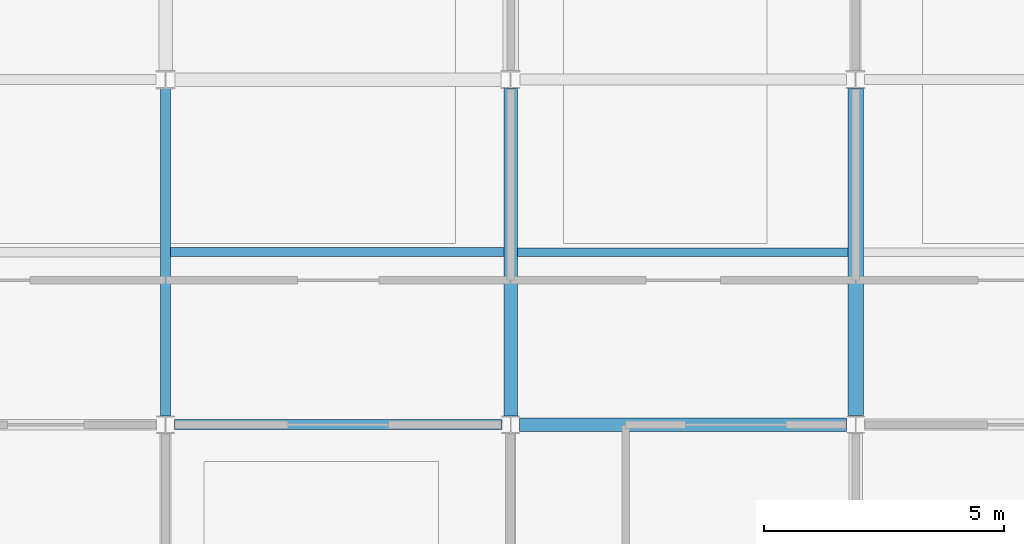
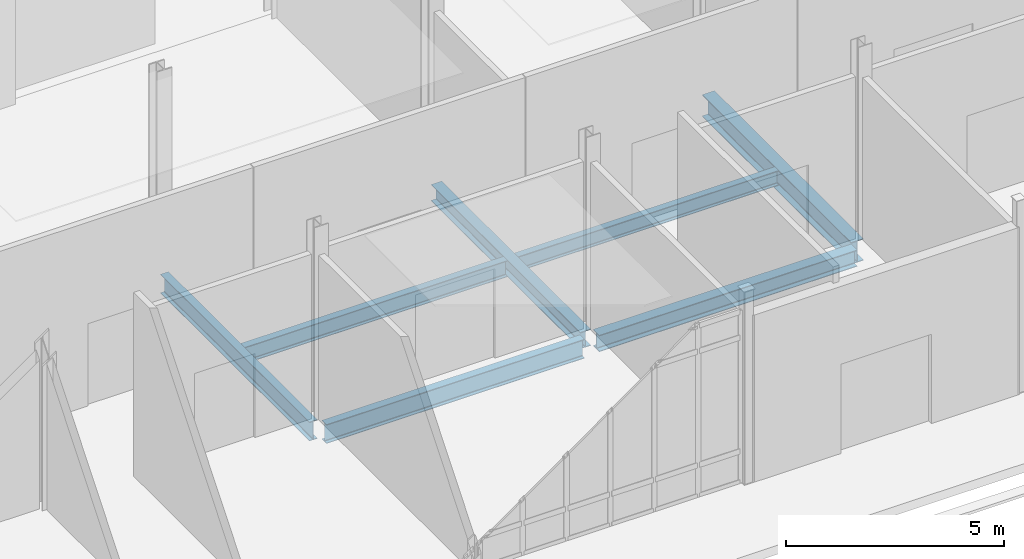
# One storey, part 116 of 229: 7 beams.
"""IFC4 building model written with IfcOpenShell, lengths in metres."""

from ifc_helpers import new_model, si_unit, direction, frame, origin, origin_2d, place, context, subcontext, project, spatial, i_section, extrude, material, material_profile, profile_set, type_object, element, save


model = new_model("IFC4")

# Units and contexts
model_context = context("Model", 3, precision=1e-05, world=origin(), true_north=direction((0.0, 1.0)))
body_context = subcontext(model_context, "Body", "Model", "MODEL_VIEW")
ifc_project = project(units=[si_unit("LENGTHUNIT", "METRE"), si_unit("AREAUNIT", "SQUARE_METRE"), si_unit("VOLUMEUNIT", "CUBIC_METRE"), si_unit("PLANEANGLEUNIT", "RADIAN"), si_unit("MASSUNIT", "GRAM", prefix="KILO")], contexts=[model_context])

# Site, building, storey
site_placement = place(None, origin())
site = spatial("IfcSite", under=ifc_project, at=site_placement, CompositionType="ELEMENT")
building_placement = place(site_placement, origin())
building = spatial("IfcBuilding", under=site, at=building_placement, Name="Calvrana Isthmian Art Gallery", CompositionType="ELEMENT")
storey_placement = place(building_placement, origin())
storey = spatial("IfcBuildingStorey", under=building, at=storey_placement, Name="L00", CompositionType="ELEMENT", Elevation=0.0)

# Beams
ifc_material = material(Name="Steel ASTM A992 Gr 50", Category="steel")
ifc_material_profile_1 = material_profile(ifc_material, i_section(OverallWidth=0.279052734375, OverallDepth=0.4619140625, WebThickness=0.0107421875, FlangeThickness=0.017333984375, FilletRadius=0.02001953125, at=origin_2d()), Name="W18X76")
ifc_profile_set_1 = profile_set([ifc_material_profile_1], Name="Steel ASTM A992 Gr 50")
beam_type_1 = type_object("IfcBeamType", Name="BM-G-W18X76", PredefinedType="BEAM", material=ifc_profile_set_1)
beam_1_placement = place(storey_placement, frame((134.583984375, 7.199951171875, -0.51611328125), z_axis=(1.0, 0.0, 0.0), x_axis=(0.0, 1.0, 0.0)))
element("IfcBeam", 1, at=beam_1_placement, inside=storey, type_object=beam_type_1, Name="Girder X L00 18-19/B", PredefinedType="BEAM", context=body_context, shape_type="SweptSolid", body=[
    extrude(i_section(OverallWidth=0.279052734375, OverallDepth=0.4619140625, WebThickness=0.0107421875, FlangeThickness=0.017333984375, FilletRadius=0.02001953125, at=origin_2d()), origin(), (0.0, 0.0, 1.0), 6.82958984375),
])
beam_2_placement = place(storey_placement, frame((134.39990234375, 7.3779296875, -0.51611328125), z_axis=(0.0, 1.0, 0.0), x_axis=(-1.0, 0.0, 0.0)))
element("IfcBeam", 2, at=beam_2_placement, inside=storey, type_object=beam_type_1, Name="Girder Y L00 18/B-C", PredefinedType="BEAM", context=body_context, shape_type="SweptSolid", body=[
    extrude(i_section(OverallWidth=0.279052734375, OverallDepth=0.4619140625, WebThickness=0.0107421875, FlangeThickness=0.017333984375, FilletRadius=0.02001953125, at=origin_2d()), origin(), (0.0, 0.0, 1.0), 6.833984375),
])
ifc_material_profile_2 = material_profile(ifc_material, i_section(OverallWidth=0.208984375, OverallDepth=0.532958984375, WebThickness=0.01025390625, FlangeThickness=0.015625, FilletRadius=0.02099609375, at=origin_2d()), Name="W21X62")
ifc_profile_set_2 = profile_set([ifc_material_profile_2], Name="Steel ASTM A992 Gr 50")
beam_type_2 = type_object("IfcBeamType", Name="BM-G-W21X62", PredefinedType="BEAM", material=ifc_profile_set_2)
beam_3_placement = place(storey_placement, frame((127.385498046875, 7.199951171875, -0.551513671875), z_axis=(1.0, 0.0, 0.0), x_axis=(0.0, 1.0, 0.0)))
element("IfcBeam", 3, at=beam_3_placement, inside=storey, type_object=beam_type_2, Name="Girder X L00 17-18/B", PredefinedType="BEAM", context=body_context, shape_type="SweptSolid", body=[
    extrude(i_section(OverallWidth=0.208984375, OverallDepth=0.532958984375, WebThickness=0.01025390625, FlangeThickness=0.015625, FilletRadius=0.02099609375, at=origin_2d()), origin(), (0.0, 0.0, 1.0), 6.83056640625),
])
beam_4_placement = place(storey_placement, frame((127.199951171875, 7.381591796875, -0.551513671875), z_axis=(0.0, 1.0, 0.0), x_axis=(-1.0, 0.0, 0.0)))
element("IfcBeam", 4, at=beam_4_placement, inside=storey, type_object=beam_type_2, Name="Girder Y L00 17/B-C", PredefinedType="BEAM", context=body_context, shape_type="SweptSolid", body=[
    extrude(i_section(OverallWidth=0.208984375, OverallDepth=0.532958984375, WebThickness=0.01025390625, FlangeThickness=0.015625, FilletRadius=0.02099609375, at=origin_2d()), origin(), (0.0, 0.0, 1.0), 6.827880859375),
])
ifc_material_profile_3 = material_profile(ifc_material, i_section(OverallWidth=0.324951171875, OverallDepth=0.612060546875, WebThickness=0.0126953125, FlangeThickness=0.01904296875, FilletRadius=0.02197265625, at=origin_2d()), Name="W24X104")
ifc_profile_set_3 = profile_set([ifc_material_profile_3], Name="Steel ASTM A992 Gr 50")
beam_type_3 = type_object("IfcBeamType", Name="BM-G-W24X104", PredefinedType="BEAM", material=ifc_profile_set_3)
beam_5_placement = place(storey_placement, frame((141.60009765625, 7.386474609375, -0.591064453125), z_axis=(0.0, 1.0, 0.0), x_axis=(-1.0, 0.0, 0.0)))
element("IfcBeam", 5, at=beam_5_placement, inside=storey, type_object=beam_type_3, Name="Girder Y L00 19/B-C", PredefinedType="BEAM", context=body_context, shape_type="SweptSolid", body=[
    extrude(i_section(OverallWidth=0.324951171875, OverallDepth=0.612060546875, WebThickness=0.0126953125, FlangeThickness=0.01904296875, FilletRadius=0.02197265625, at=origin_2d()), origin(), (0.0, 0.0, 1.0), 6.826904296875),
])
ifc_material_profile_4 = material_profile(ifc_material, i_section(OverallWidth=0.179931640625, OverallDepth=0.4140625, WebThickness=0.009765625, FlangeThickness=0.01611328125, FilletRadius=0.01806640625, at=origin_2d()), Name="W16X50")
ifc_profile_set_4 = profile_set([ifc_material_profile_4], Name="Steel ASTM A992 Gr 50")
beam_type_4 = type_object("IfcBeamType", Name="BM-J-W16X50", PredefinedType="JOIST", material=ifc_profile_set_4)
beam_6_placement = place(storey_placement, frame((134.53955078125, 10.800048828125, -0.491943359375), z_axis=(1.0, 0.0, 0.0), x_axis=(0.0, 1.0, 0.0)))
element("IfcBeam", 6, at=beam_6_placement, inside=storey, type_object=beam_type_4, Name="Composite joist L00 bay 17-01", PredefinedType="JOIST", context=body_context, shape_type="SweptSolid", body=[
    extrude(i_section(OverallWidth=0.179931640625, OverallDepth=0.4140625, WebThickness=0.009765625, FlangeThickness=0.01611328125, FilletRadius=0.01806640625, at=origin_2d()), origin(), (0.0, 0.0, 1.0), 6.89794921875),
])
ifc_material_profile_5 = material_profile(ifc_material, i_section(OverallWidth=0.19091796875, OverallDepth=0.45703125, WebThickness=0.009033203125, FlangeThickness=0.014404296875, FilletRadius=0.02001953125, at=origin_2d()), Name="W18X50")
ifc_profile_set_5 = profile_set([ifc_material_profile_5], Name="Steel ASTM A992 Gr 50")
beam_type_5 = type_object("IfcBeamType", Name="BM-J-W18X50", PredefinedType="JOIST", material=ifc_profile_set_5)
beam_7_placement = place(storey_placement, frame((127.304443359375, 10.800048828125, -0.513427734375), z_axis=(1.0, 0.0, 0.0), x_axis=(0.0, 1.0, 0.0)))
element("IfcBeam", 7, at=beam_7_placement, inside=storey, type_object=beam_type_5, Name="Composite joist L00 bay 16-01", PredefinedType="JOIST", context=body_context, shape_type="SweptSolid", body=[
    extrude(i_section(OverallWidth=0.19091796875, OverallDepth=0.45703125, WebThickness=0.009033203125, FlangeThickness=0.014404296875, FilletRadius=0.02001953125, at=origin_2d()), origin(), (0.0, 0.0, 1.0), 6.9560546875),
])

save(model, "model.ifc")
